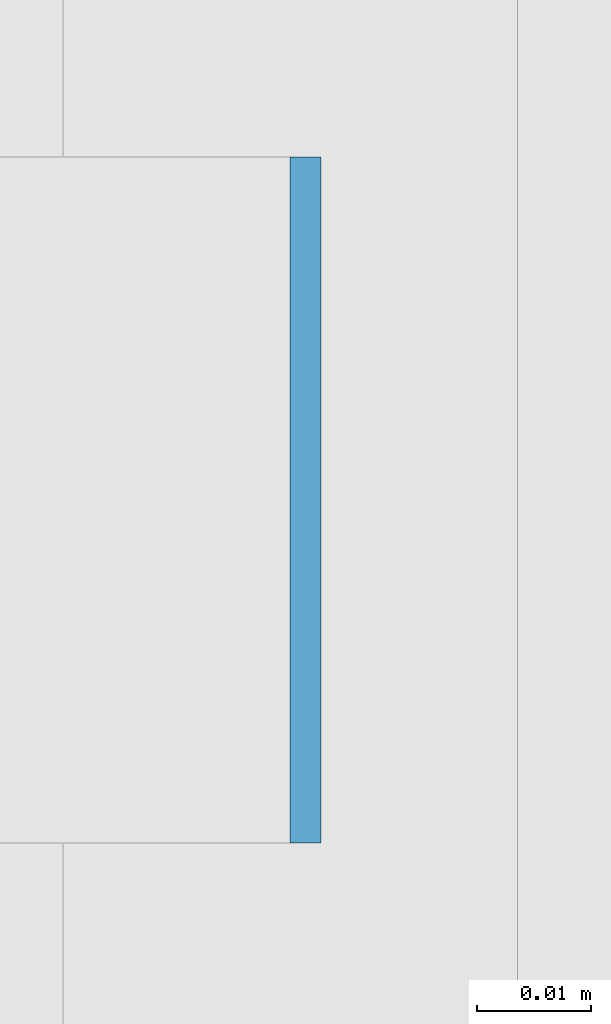
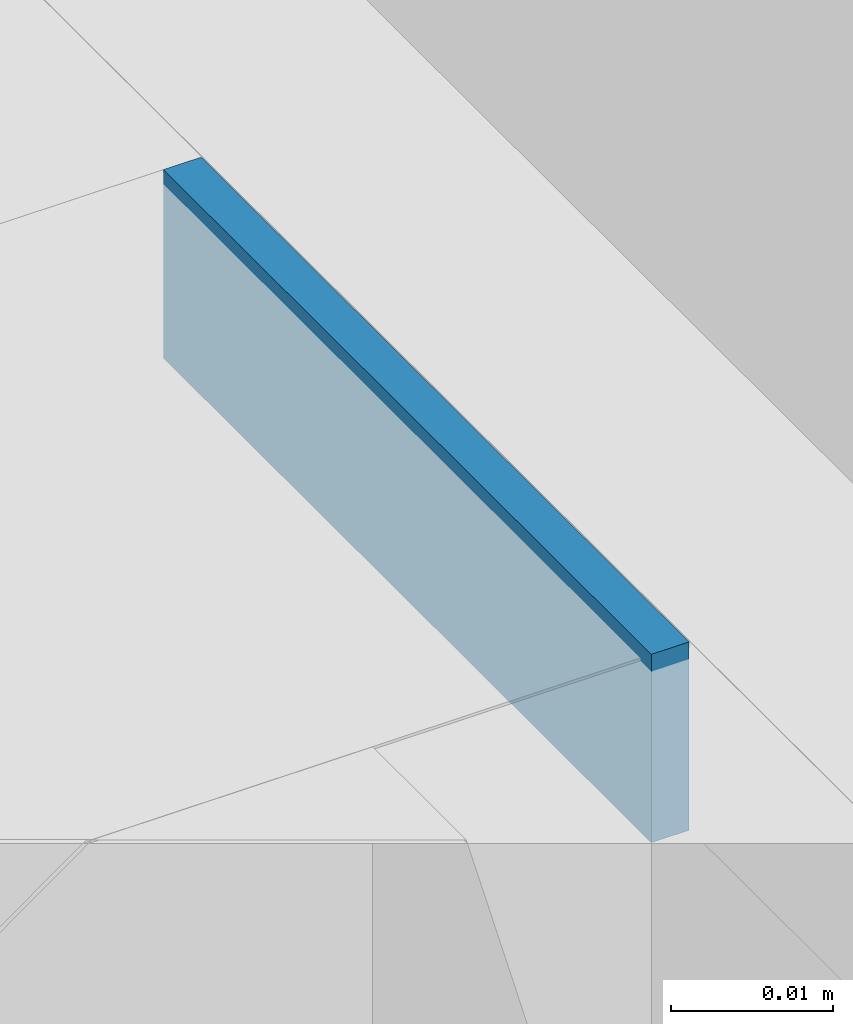
# One storey, part 275 of 646: 1 discrete accessory.
"""IFC4 building model written with IfcOpenShell, lengths in metres."""

from ifc_helpers import new_model, si_unit, direction, frame, origin, origin_2d, place, context, subcontext, project, spatial, rectangle, extrude, material, type_object, element, save


model = new_model("IFC4")

# Units and contexts
model_context = context("Model", 3, precision=1e-05, world=origin(), true_north=direction((0.0, 1.0)))
body_context = subcontext(model_context, "Body", "Model", "MODEL_VIEW")
ifc_project = project(units=[si_unit("LENGTHUNIT", "METRE"), si_unit("AREAUNIT", "SQUARE_METRE"), si_unit("VOLUMEUNIT", "CUBIC_METRE"), si_unit("PLANEANGLEUNIT", "RADIAN"), si_unit("MASSUNIT", "GRAM", prefix="KILO")], contexts=[model_context])

# Site, building, storey
site_placement = place(None, origin())
site = spatial("IfcSite", under=ifc_project, at=site_placement, CompositionType="ELEMENT")
building_placement = place(site_placement, origin())
building = spatial("IfcBuilding", under=site, at=building_placement, Name="Silverbay Arena", CompositionType="ELEMENT")
storey_placement = place(building_placement, frame((0.0, 0.0, 33.5)))
storey = spatial("IfcBuildingStorey", under=building, at=storey_placement, Name="L05", CompositionType="ELEMENT", Elevation=33.5)

# Discrete accessory
ifc_material = material(Name="Steel S355", Category="steel")
discrete_accessory_type = type_object("IfcDiscreteAccessoryType", Name="Steel bracket plate", PredefinedType="BRACKET", material=ifc_material)
discrete_accessory_placement = place(storey_placement, frame((53.871337890625, 48.857177734375, 12.98583984375), z_axis=(0.0, 0.0, 1.0), x_axis=(1.0, 0.0, 0.0)))
element("IfcDiscreteAccessory", 1, at=discrete_accessory_placement, inside=storey, type_object=discrete_accessory_type, Name="Curtain wall packing plate", PredefinedType="BRACKET", context=body_context, shape_type="SweptSolid", body=[
    extrude(rectangle(XDim=0.002685546875, YDim=0.06005859375, at=origin_2d()), origin(), (0.0, 0.0, 1.0), 0.01416015625),
])

save(model, "model.ifc")
